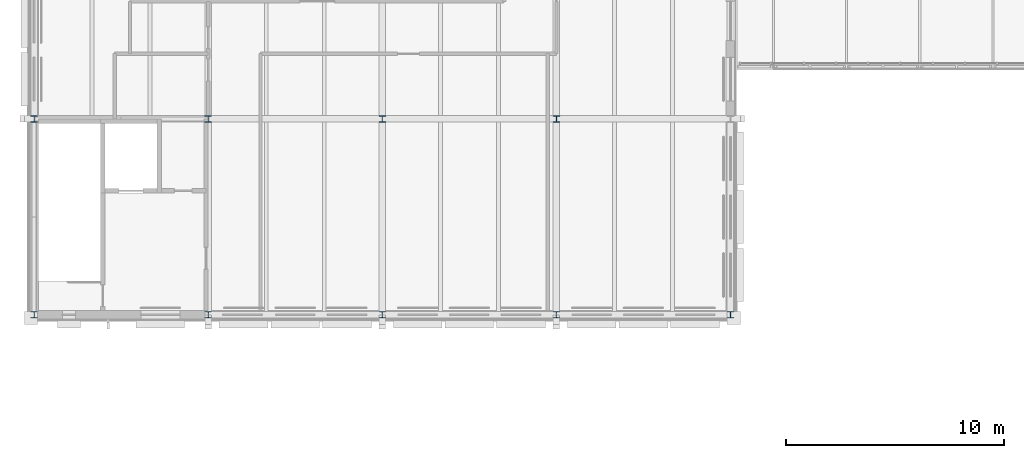
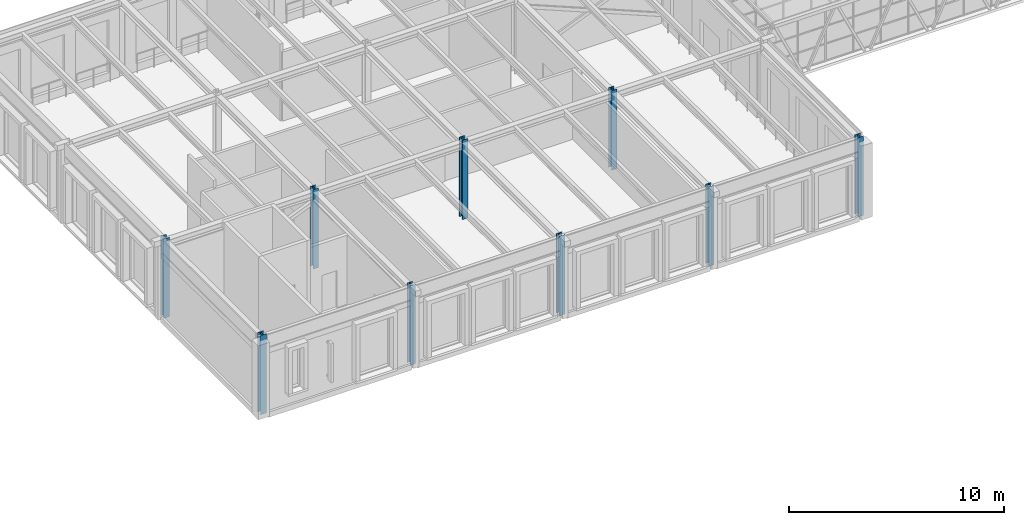
# One storey, part 6 of 149: 9 columns.
"""IFC4 building model written with IfcOpenShell, lengths in metres."""

from ifc_helpers import new_model, si_unit, direction, frame, origin, origin_2d, place, context, subcontext, project, spatial, i_section, extrude, material, material_profile, profile_set, type_object, element, save


model = new_model("IFC4")

# Units and contexts
model_context = context("Model", 3, precision=1e-05, world=origin(), true_north=direction((0.0, 1.0)))
body_context = subcontext(model_context, "Body", "Model", "MODEL_VIEW")
ifc_project = project(units=[si_unit("LENGTHUNIT", "METRE"), si_unit("AREAUNIT", "SQUARE_METRE"), si_unit("VOLUMEUNIT", "CUBIC_METRE"), si_unit("PLANEANGLEUNIT", "RADIAN"), si_unit("MASSUNIT", "GRAM", prefix="KILO")], contexts=[model_context])

# Site, building, storey
site_placement = place(None, origin())
site = spatial("IfcSite", under=ifc_project, at=site_placement, CompositionType="ELEMENT")
building_placement = place(site_placement, origin())
building = spatial("IfcBuilding", under=site, at=building_placement, Name="Kallimachos Central Library", CompositionType="ELEMENT")
storey_placement = place(building_placement, frame((0.0, 0.0, 9.89990234375)))
storey = spatial("IfcBuildingStorey", under=building, at=storey_placement, Name="L02", CompositionType="ELEMENT", Elevation=9.89990234375)

# Columns
ifc_material_1 = material(Name="Steel S355J2", Category="steel")
ifc_material_profile_1 = material_profile(ifc_material_1, i_section(OverallWidth=0.300048828125, OverallDepth=0.2900390625, WebThickness=0.008544921875, FlangeThickness=0.013916015625, FilletRadius=0.027099609375, at=origin_2d()), Name="HEA 300")
ifc_profile_set_1 = profile_set([ifc_material_profile_1], Name="Steel S355J2")
column_type_1 = type_object("IfcColumnType", Name="HEA 300 column", PredefinedType="COLUMN", material=ifc_profile_set_1)
for number, where, z_axis, x_axis, name in (
    (1, (6.0, 87.0, 0.0), (0.0, 0.0, 1.0), (1.0, 0.0, 0.0), "V2-COL-L02-001"),
    (2, (6.0, 96.0, 0.0), (0.0, 0.0, 1.0), (1.0, 0.0, 0.0), "V2-COL-L02-002"),
    (3, (14.0, 87.0, 0.0), (0.0, 0.0, 1.0), (1.0, 0.0, 0.0), "V2-COL-L02-005"),
    (4, (22.0, 87.0, 0.0), (0.0, 0.0, 1.0), (1.0, 0.0, 0.0), "V2-COL-L02-009"),
    (5, (30.0, 87.0, 0.0), (0.0, 0.0, 1.0), (1.0, 0.0, 0.0), "V2-COL-L02-013"),
    (6, (38.0, 87.0, 0.0), (0.0, 0.0, 1.0), (1.0, 0.0, 0.0), "V2-COL-L02-017"),
):
    element("IfcColumn", number, at=place(storey_placement, frame(where, z_axis=z_axis, x_axis=x_axis)), inside=storey, type_object=column_type_1, Name=name, PredefinedType="COLUMN", context=body_context, shape_type="SweptSolid", body=[
        extrude(i_section(OverallWidth=0.300048828125, OverallDepth=0.2900390625, WebThickness=0.008544921875, FlangeThickness=0.013916015625, FilletRadius=0.027099609375, at=origin_2d()), origin(), (0.0, 0.0, 1.0), 4.5),
    ])
ifc_material_2 = material(Name="Steel S355J2", Category="steel")
ifc_material_profile_2 = material_profile(ifc_material_2, i_section(OverallWidth=0.300048828125, OverallDepth=0.300048828125, WebThickness=0.010986328125, FlangeThickness=0.01904296875, FilletRadius=0.027099609375, at=origin_2d()), Name="HEB 300")
ifc_profile_set_2 = profile_set([ifc_material_profile_2], Name="Steel S355J2")
column_type_2 = type_object("IfcColumnType", Name="HEB 300 column", PredefinedType="COLUMN", material=ifc_profile_set_2)
for number, where, z_axis, x_axis, name in (
    (7, (14.0, 96.0, 0.0), (0.0, 0.0, 1.0), (1.0, 0.0, 0.0), "V2-COL-L02-006"),
    (8, (22.0, 96.0, 0.0), (0.0, 0.0, 1.0), (1.0, 0.0, 0.0), "V2-COL-L02-010"),
    (9, (30.0, 96.0, 0.0), (0.0, 0.0, 1.0), (1.0, 0.0, 0.0), "V2-COL-L02-014"),
):
    element("IfcColumn", number, at=place(storey_placement, frame(where, z_axis=z_axis, x_axis=x_axis)), inside=storey, type_object=column_type_2, Name=name, PredefinedType="COLUMN", context=body_context, shape_type="SweptSolid", body=[
        extrude(i_section(OverallWidth=0.300048828125, OverallDepth=0.300048828125, WebThickness=0.010986328125, FlangeThickness=0.01904296875, FilletRadius=0.027099609375, at=origin_2d()), origin(), (0.0, 0.0, 1.0), 4.5),
    ])

save(model, "model.ifc")
